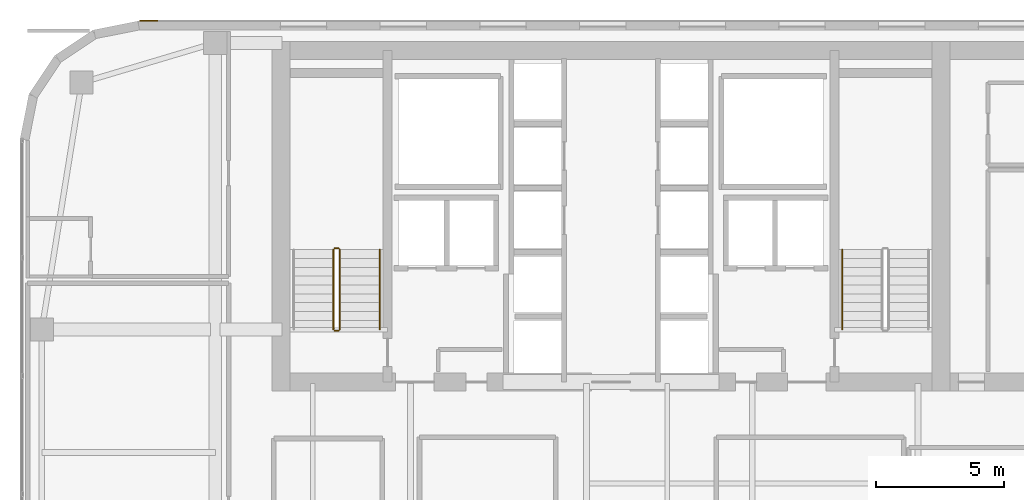
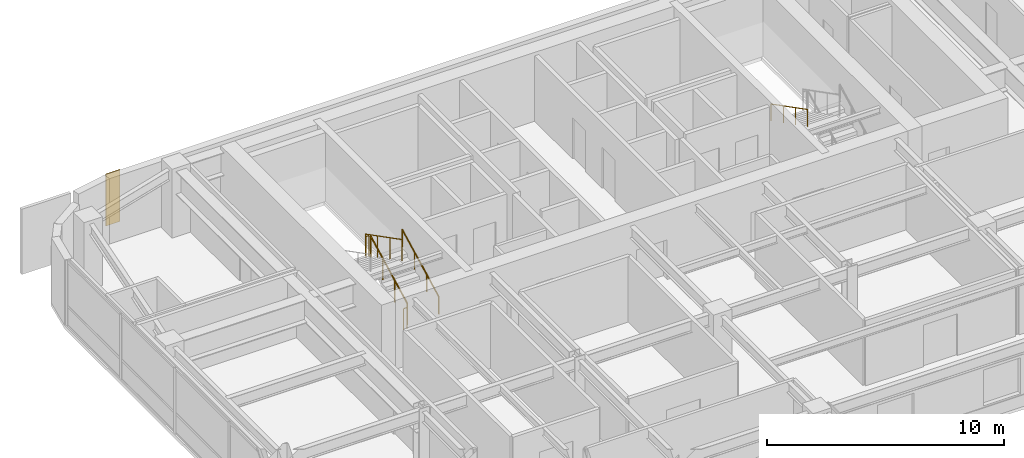
# One storey, part 35 of 37: 6 railings, 1 covering.
"""IFC4 building model written with IfcOpenShell, lengths in metres."""

from ifc_helpers import new_model, si_unit, direction, frame, origin, origin_2d, place, context, subcontext, project, spatial, polyline, circle, outline, extrude, material, layer, layer_set, type_object, element, save


model = new_model("IFC4")

# Units and contexts
model_context = context("Model", 3, precision=1e-05, world=origin(), true_north=direction((0.0, 1.0)))
body_context = subcontext(model_context, "Body", "Model", "MODEL_VIEW")
ifc_project = project(units=[si_unit("LENGTHUNIT", "METRE"), si_unit("AREAUNIT", "SQUARE_METRE"), si_unit("VOLUMEUNIT", "CUBIC_METRE"), si_unit("PLANEANGLEUNIT", "RADIAN"), si_unit("MASSUNIT", "GRAM", prefix="KILO")], contexts=[model_context])

# Site, building, storey
site_placement = place(None, origin())
site = spatial("IfcSite", under=ifc_project, at=site_placement, CompositionType="ELEMENT")
building_placement = place(site_placement, origin())
building = spatial("IfcBuilding", under=site, at=building_placement, Name="Tolvann Quenvar Hotel", CompositionType="ELEMENT")
storey_placement = place(building_placement, frame((0.0, 0.0, 104.449951171875)))
storey = spatial("IfcBuildingStorey", under=building, at=storey_placement, Name="L26", CompositionType="ELEMENT", Elevation=104.449951171875)

# Covering
ifc_material_1 = material(Name="Kiln-fired red architectural face brick cladding", Category="masonry")
ifc_layer = layer(ifc_material_1, 0.0400390625)
ifc_layer_set = layer_set([ifc_layer], Name="Kiln-fired red architectural face brick cladding")
covering_type = type_object("IfcCoveringType", Name="COV_CLAD_BRICK_40", PredefinedType="CLADDING", material=ifc_layer_set)
covering_placement = place(storey_placement, frame((0.0, 0.0, 0.699951171875)))
element("IfcCovering", 1, at=covering_placement, inside=storey, type_object=covering_type, Name="Brick Pier Cladding (L26-E18-P2)", PredefinedType="CLADDING", context=body_context, shape_type="SweptSolid", body=[
    extrude(outline(polyline([(5.3671875, 46.0), (4.667236328125, 46.0), (4.667236328125, 46.0400390625), (5.3671875, 46.0400390625), (5.3671875, 46.0)])), origin(), (0.0, 0.0, 1.0), 2.670166015625),
])

# Railings
ifc_material_2 = material(Name="Brushed 316 stainless steel balustrade and handrail", Category="steel")
railing_type_1 = type_object("IfcRailingType", Name="GUARDRAIL", PredefinedType="GUARDRAIL", material=ifc_material_2)
railing_1_placement = place(storey_placement, frame((12.449951171875, 34.0, 0.177490234375)))
element("IfcRailing", 2, at=railing_1_placement, inside=storey, type_object=railing_type_1, Name="L26 ST-C1 stair guard 1", PredefinedType="GUARDRAIL", context=body_context, shape_type="SweptSolid", body=[
    extrude(circle(Radius=0.02392578125, at=origin_2d()), frame((0.0, 0.0, 1.09619140625), z_axis=(0.0, 0.88919353882, 0.457531256332), x_axis=(-1.0, 0.0, 0.0)), (0.0, 0.0, 1.0), 3.491943359375),
    extrude(circle(Radius=0.02099609375, at=origin_2d()), origin(), (0.0, 0.0, 1.0), 1.072021484375),
    extrude(circle(Radius=0.02099609375, at=origin_2d()), frame((0.0, 1.034912109375, 0.532470703125)), (0.0, 0.0, 1.0), 1.072021484375),
    extrude(circle(Radius=0.02099609375, at=origin_2d()), frame((0.0, 2.070068359375, 1.065185546875)), (0.0, 0.0, 1.0), 1.072021484375),
    extrude(circle(Radius=0.02099609375, at=origin_2d()), frame((0.0, 3.10498046875, 1.59765625)), (0.0, 0.0, 1.0), 1.072021484375),
])
railing_2_placement = place(storey_placement, frame((12.39990234375, 37.155029296875, 1.775146484375)))
element("IfcRailing", 3, at=railing_2_placement, inside=storey, type_object=railing_type_1, Name="L26 ST-C1 stair guard 2", PredefinedType="GUARDRAIL", context=body_context, shape_type="SweptSolid", body=[
    extrude(circle(Radius=0.02392578125, at=origin_2d()), frame((0.0, 0.0, 1.09619140625), z_axis=(-1.0, 0.0, 0.0), x_axis=(0.0, -1.0, 0.0)), (0.0, 0.0, 1.0), 0.14990234375),
    extrude(circle(Radius=0.02099609375, at=origin_2d()), origin(), (0.0, 0.0, 1.0), 1.072021484375),
    extrude(circle(Radius=0.02099609375, at=origin_2d()), frame((-0.14990234375, 0.0, 0.0)), (0.0, 0.0, 1.0), 1.072021484375),
])
railing_3_placement = place(storey_placement, frame((12.199951171875, 37.10498046875, 1.95263671875)))
element("IfcRailing", 4, at=railing_3_placement, inside=storey, type_object=railing_type_1, Name="L26 ST-C1 stair guard 3", PredefinedType="GUARDRAIL", context=body_context, shape_type="SweptSolid", body=[
    extrude(circle(Radius=0.02392578125, at=origin_2d()), frame((0.0, 0.0, 1.09619140625), z_axis=(0.0, -0.889221982265, 0.45747597342), x_axis=(1.0, 0.0, 0.0)), (0.0, 0.0, 1.0), 3.49169921875),
    extrude(circle(Radius=0.02099609375, at=origin_2d()), origin(), (0.0, 0.0, 1.0), 1.072021484375),
    extrude(circle(Radius=0.02099609375, at=origin_2d()), frame((0.0, -1.034912109375, 0.532470703125)), (0.0, 0.0, 1.0), 1.072021484375),
    extrude(circle(Radius=0.02099609375, at=origin_2d()), frame((0.0, -2.070068359375, 1.06494140625)), (0.0, 0.0, 1.0), 1.072021484375),
    extrude(circle(Radius=0.02099609375, at=origin_2d()), frame((0.0, -3.10498046875, 1.597412109375)), (0.0, 0.0, 1.0), 1.072021484375),
])
railing_4_placement = place(storey_placement, frame((12.39990234375, 33.949951171875, 0.0)))
element("IfcRailing", 5, at=railing_4_placement, inside=storey, type_object=railing_type_1, Name="L26 ST-C1 stair guard 4", PredefinedType="GUARDRAIL", context=body_context, shape_type="SweptSolid", body=[
    extrude(circle(Radius=0.02392578125, at=origin_2d()), frame((0.0, 0.0, 1.09619140625), z_axis=(-1.0, 0.0, 0.0), x_axis=(0.0, -1.0, 0.0)), (0.0, 0.0, 1.0), 0.14990234375),
    extrude(circle(Radius=0.02099609375, at=origin_2d()), origin(), (0.0, 0.0, 1.0), 1.072021484375),
    extrude(circle(Radius=0.02099609375, at=origin_2d()), frame((-0.14990234375, 0.0, 0.0)), (0.0, 0.0, 1.0), 1.072021484375),
])
railing_type_2 = type_object("IfcRailingType", Name="HANDRAIL", PredefinedType="HANDRAIL", material=ifc_material_2)
railing_5_placement = place(storey_placement, frame((14.0, 34.0, 0.177490234375)))
element("IfcRailing", 6, at=railing_5_placement, inside=storey, type_object=railing_type_2, Name="L26 ST-C1 stair handrail 1", PredefinedType="HANDRAIL", context=body_context, shape_type="SweptSolid", body=[
    extrude(circle(Radius=0.02392578125, at=origin_2d()), frame((0.0, 0.0, 0.8759765625), z_axis=(0.0, 0.88919353882, 0.457531256332), x_axis=(-1.0, 0.0, 0.0)), (0.0, 0.0, 1.0), 3.491943359375),
    extrude(circle(Radius=0.02099609375, at=origin_2d()), origin(), (0.0, 0.0, 1.0), 0.851806640625),
    extrude(circle(Radius=0.02099609375, at=origin_2d()), frame((0.0, 1.034912109375, 0.532470703125)), (0.0, 0.0, 1.0), 0.851806640625),
    extrude(circle(Radius=0.02099609375, at=origin_2d()), frame((0.0, 2.070068359375, 1.065185546875)), (0.0, 0.0, 1.0), 0.851806640625),
    extrude(circle(Radius=0.02099609375, at=origin_2d()), frame((0.0, 3.10498046875, 1.59765625)), (0.0, 0.0, 1.0), 0.851806640625),
])
railing_6_placement = place(storey_placement, frame((32.0, 37.10498046875, 1.95263671875)))
element("IfcRailing", 7, at=railing_6_placement, inside=storey, type_object=railing_type_2, Name="L26 ST-C2 stair handrail 2", PredefinedType="HANDRAIL", context=body_context, shape_type="SweptSolid", body=[
    extrude(circle(Radius=0.02392578125, at=origin_2d()), frame((0.0, 0.0, 0.8759765625), z_axis=(0.0, -0.889221982265, 0.45747597342), x_axis=(1.0, 0.0, 0.0)), (0.0, 0.0, 1.0), 3.49169921875),
    extrude(circle(Radius=0.02099609375, at=origin_2d()), origin(), (0.0, 0.0, 1.0), 0.851806640625),
    extrude(circle(Radius=0.02099609375, at=origin_2d()), frame((0.0, -1.034912109375, 0.532470703125)), (0.0, 0.0, 1.0), 0.851806640625),
    extrude(circle(Radius=0.02099609375, at=origin_2d()), frame((0.0, -2.070068359375, 1.06494140625)), (0.0, 0.0, 1.0), 0.851806640625),
    extrude(circle(Radius=0.02099609375, at=origin_2d()), frame((0.0, -3.10498046875, 1.597412109375)), (0.0, 0.0, 1.0), 0.851806640625),
])

save(model, "model.ifc")
